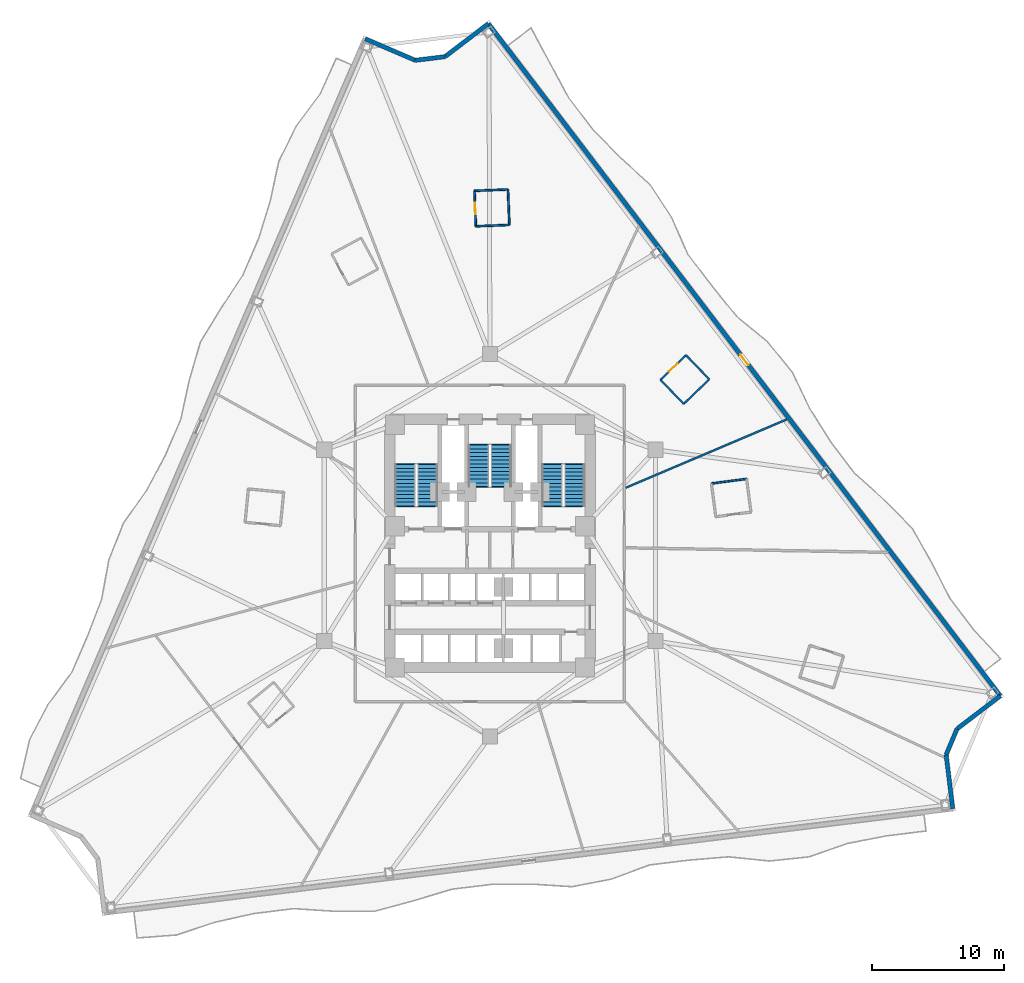
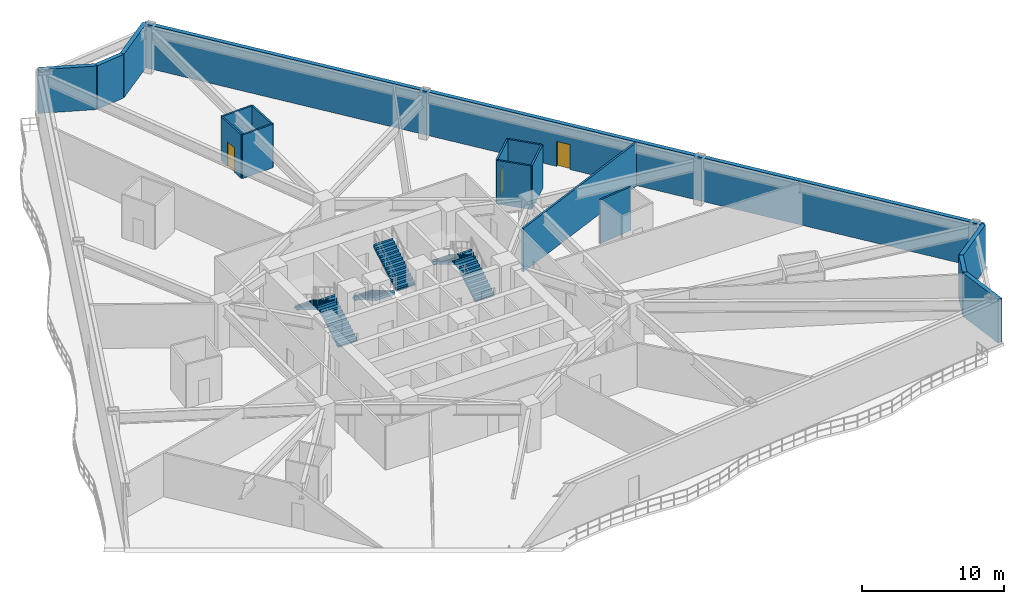
# One storey, part 7 of 13: 17 walls, 6 stair flights, 3 doors, 3 openings, 3 elements without a shape of their own.
"""IFC4 building model written with IfcOpenShell, lengths in metres."""

import ifcopenshell
import ifcopenshell.guid

model = None  # the IFC model being written
_history = None  # IfcOwnerHistory: only IFC2X3 demands one
_inside = {}  # id of a spatial element -> (the spatial element, [elements in it])
_under = {}  # id of a project, library or spatial element -> (it, [spatial elements below it])
_declared = {}  # id of a project -> (the project, [libraries it declares])
_typed = {}  # id of a type object -> (the type object, [elements of that type])
_made_of = {}  # id of a material, layer set ... -> (it, [elements and type objects made of it])


def new_model(schema):
    """Start an empty IFC model of exactly this schema.

    Asked for "IFC4X3", IfcOpenShell would pick the latest addendum, in which some entities
    have other attributes; the version numbers below select the first issue.
    IFC2X3 requires an IfcOwnerHistory on every rooted entity: one is made here for all.
    """
    global model, _history
    if schema == "IFC4X3":
        model = ifcopenshell.file(schema_version=(4, 3, 0, 0))
    else:
        model = ifcopenshell.file(schema=schema)
    _inside.clear()
    _under.clear()
    _declared.clear()
    _typed.clear()
    _made_of.clear()
    _history = None
    if model.schema == "IFC2X3":
        org = make("IfcOrganization", Name="unknown")
        user = make(
            "IfcPersonAndOrganization",
            ThePerson=make("IfcPerson", FamilyName="unknown"),
            TheOrganization=org,
        )
        app = make(
            "IfcApplication",
            ApplicationDeveloper=org,
            Version="unknown",
            ApplicationFullName="unknown",
            ApplicationIdentifier="unknown",
        )
        _history = make(
            "IfcOwnerHistory",
            OwningUser=user,
            OwningApplication=app,
            ChangeAction="ADDED",
            CreationDate=0,
        )
    return model


def make(cls, **values):
    """One entity of the class cls with the attributes given. An attribute that is None is left unset."""
    return model.create_entity(
        cls, **{name: value for name, value in values.items() if value is not None}
    )


def rooted(cls, **values):
    """An entity with a GlobalId (a new one), such as an element, a storey or a relation."""
    return make(cls, GlobalId=ifcopenshell.guid.new(), OwnerHistory=_history, **values)


def si_unit(unit_type, name, prefix=None):
    """IfcSIUnit, for example si_unit("LENGTHUNIT", "METRE", prefix="MILLI")."""
    return make("IfcSIUnit", UnitType=unit_type, Prefix=prefix, Name=name)


def assignment(units):
    """IfcUnitAssignment: the units of a project."""
    return None if units is None else make("IfcUnitAssignment", Units=units)


def point(xyz):
    """IfcCartesianPoint."""
    return None if xyz is None else make("IfcCartesianPoint", Coordinates=xyz)


def direction(xyz):
    """IfcDirection."""
    return None if xyz is None else make("IfcDirection", DirectionRatios=xyz)


def frame(location, z_axis=None, x_axis=None):
    """IfcAxis2Placement3D, a coordinate frame: its origin and axes. An axis left out is left unset."""
    return make(
        "IfcAxis2Placement3D",
        Location=point(location),
        Axis=direction(z_axis),
        RefDirection=direction(x_axis),
    )


def frame_2d(location, x_axis=None):
    """IfcAxis2Placement2D, a coordinate frame in the plane: its origin and x axis."""
    return make(
        "IfcAxis2Placement2D", Location=point(location), RefDirection=direction(x_axis)
    )


def origin():
    """The frame at (0, 0, 0) with its axes left unset."""
    return frame((0.0, 0.0, 0.0))


def place(relative_to, where):
    """IfcLocalPlacement: puts the frame where relative to a parent placement (None: the world)."""
    return make(
        "IfcLocalPlacement", PlacementRelTo=relative_to, RelativePlacement=where
    )


def context(
    kind, dimensions, precision=None, world=None, true_north=None, identifier=None
):
    """IfcGeometricRepresentationContext, for example the 3D "Model" context."""
    return make(
        "IfcGeometricRepresentationContext",
        ContextIdentifier=identifier,
        ContextType=kind,
        CoordinateSpaceDimension=dimensions,
        Precision=precision,
        WorldCoordinateSystem=world,
        TrueNorth=true_north,
    )


def subcontext(parent, identifier, kind, view, scale=None):
    """IfcGeometricRepresentationSubContext, for example "Body" below "Model"."""
    return make(
        "IfcGeometricRepresentationSubContext",
        ContextIdentifier=identifier,
        ContextType=kind,
        ParentContext=parent,
        TargetScale=scale,
        TargetView=view,
    )


def project(units=None, contexts=None):
    """IfcProject with its units and contexts."""
    return rooted(
        "IfcProject",
        Name="project",
        RepresentationContexts=contexts,
        UnitsInContext=assignment(units),
    )


def spatial(cls, under=None, at=None, **own):
    """A site, building, storey or space (cls), placed at a placement, below another one or the project."""
    s = rooted(cls, ObjectPlacement=at, **own)
    if under is not None:
        _under.setdefault(under.id(), (under, []))[1].append(s)
    return s


def polyline(points):
    """IfcPolyline through the points."""
    return make("IfcPolyline", Points=[point(p) for p in points])


def profile(cls, at=None, kind="AREA", **sizes):
    """A parametric profile (cls). Its sizes go by their IFC names, for example OverallWidth=200.0."""
    return make(cls, ProfileType=kind, Position=at, **sizes)


def rectangle(**sizes):
    """IfcRectangleProfileDef."""
    return profile("IfcRectangleProfileDef", **sizes)


def outline(outer, holes=None, kind="AREA"):
    """IfcArbitraryClosedProfileDef: a profile drawn as a closed curve; with holes, ...WithVoids."""
    if holes is None:
        return make("IfcArbitraryClosedProfileDef", ProfileType=kind, OuterCurve=outer)
    return make(
        "IfcArbitraryProfileDefWithVoids",
        ProfileType=kind,
        OuterCurve=outer,
        InnerCurves=holes,
    )


def extrude(swept, where, along, depth):
    """IfcExtrudedAreaSolid: the profile swept, set in the frame where, extruded along a direction by depth."""
    return make(
        "IfcExtrudedAreaSolid",
        SweptArea=swept,
        Position=where,
        ExtrudedDirection=direction(along),
        Depth=depth,
    )


def shape(context_of_items, identifier, shape_type, items):
    """IfcShapeRepresentation: the items that make up one representation, for example the "Body"."""
    return make(
        "IfcShapeRepresentation",
        ContextOfItems=context_of_items,
        RepresentationIdentifier=identifier,
        RepresentationType=shape_type,
        Items=items,
    )


def material(Name=None, Category=None):
    """IfcMaterial."""
    return make("IfcMaterial", Name=Name, Category=Category)


def layer(
    of_material, thickness, ventilated=None, Name=None, Category=None, Priority=None
):
    """IfcMaterialLayer: one layer of a wall or slab, of a material (None: an air gap)."""
    return make(
        "IfcMaterialLayer",
        Material=of_material,
        LayerThickness=thickness,
        IsVentilated=ventilated,
        Name=Name,
        Category=Category,
        Priority=Priority,
    )


def layer_set(layers, Name=None):
    """IfcMaterialLayerSet."""
    return make("IfcMaterialLayerSet", MaterialLayers=layers, LayerSetName=Name)


def made_of(thing, what):
    """Note that an element or type object is made of a material, layer set ...; save() writes the relation."""
    if what is not None:
        _made_of.setdefault(what.id(), (what, []))[1].append(thing)
    return thing


def type_object(cls, material=None, **own):
    """A type object (cls), such as IfcWallType, which elements share."""
    return made_of(rooted(cls, **own), material)


def element(
    cls,
    number,
    at=None,
    inside=None,
    cuts=None,
    type_object=None,
    material=None,
    context=None,
    identifier="Body",
    shape_type=None,
    held_by="IfcProductDefinitionShape",
    body=None,
    shapes=None,
    **own,
):
    """One element of the class cls, such as IfcWall. Its Tag is "e" and its number.

    at: its placement. inside: the storey or other place that contains it. cuts: it is an
    opening in that element (IfcRelVoidsElement). A single representation is given by context,
    identifier, shape_type and body (its items); several are given by shapes. held_by: the class
    of the entity that holds the representations. save() writes the other relations.
    """
    e = rooted(cls, Tag="e%d" % number, ObjectPlacement=at, **own)
    if body is not None:
        shapes = [shape(context, identifier, shape_type, body)]
    if shapes is not None:
        e.Representation = make(held_by, Representations=shapes)
    if inside is not None:
        _inside.setdefault(inside.id(), (inside, []))[1].append(e)
    if cuts is not None:
        rooted(
            "IfcRelVoidsElement", RelatingBuildingElement=cuts, RelatedOpeningElement=e
        )
    if type_object is not None:
        _typed.setdefault(type_object.id(), (type_object, []))[1].append(e)
    return made_of(e, material)


def fill(opening, filler):
    """IfcRelFillsElement: the door or window that sits in an opening."""
    return rooted(
        "IfcRelFillsElement",
        RelatingOpeningElement=opening,
        RelatedBuildingElement=filler,
    )


def aggregate(whole, parts):
    """IfcRelAggregates: a whole, such as a stair, and the parts it consists of."""
    return rooted("IfcRelAggregates", RelatingObject=whole, RelatedObjects=parts)


def save(model, path):
    """Write the relations noted so far, then the file.

    IfcRelAggregates (storeys below a building ...), IfcRelContainedInSpatialStructure (elements
    in a storey), IfcRelDefinesByType, IfcRelAssociatesMaterial and IfcRelDeclares: one each for
    every whole, place, type object, material and project.
    """
    for whole, parts in _under.values():
        aggregate(whole, parts)
    for where, things in _inside.values():
        rooted(
            "IfcRelContainedInSpatialStructure",
            RelatedElements=things,
            RelatingStructure=where,
        )
    for kind, things in _typed.values():
        rooted("IfcRelDefinesByType", RelatedObjects=things, RelatingType=kind)
    for what, things in _made_of.values():
        rooted("IfcRelAssociatesMaterial", RelatedObjects=things, RelatingMaterial=what)
    for by, libraries in _declared.values():
        rooted("IfcRelDeclares", RelatingContext=by, RelatedDefinitions=libraries)
    model.write(path)


model = new_model("IFC4")

# Units and contexts
model_context = context("Model", 3, precision=1e-05, world=origin(), true_north=direction((0.0, 1.0)))
body_context = subcontext(model_context, "Body", "Model", "MODEL_VIEW")
ifc_project = project(units=[si_unit("LENGTHUNIT", "METRE"), si_unit("AREAUNIT", "SQUARE_METRE"), si_unit("VOLUMEUNIT", "CUBIC_METRE"), si_unit("PLANEANGLEUNIT", "RADIAN"), si_unit("MASSUNIT", "GRAM", prefix="KILO")], contexts=[model_context])

# Site, building, storey
site_placement = place(None, origin())
site = spatial("IfcSite", under=ifc_project, at=site_placement, CompositionType="ELEMENT")
building_placement = place(site_placement, origin())
building = spatial("IfcBuilding", under=site, at=building_placement, Name="Apsidion Concourse Tower", CompositionType="ELEMENT")
storey_placement = place(building_placement, frame((0.0, 0.0, 67.0)))
storey = spatial("IfcBuildingStorey", under=building, at=storey_placement, Name="L14", CompositionType="ELEMENT", Elevation=67.0)

# Wall, opening, door
ifc_material_1 = material(Name="Precast concrete C40/50", Category="concrete")
ifc_layer_1 = layer(ifc_material_1, 0.320068359375)
ifc_layer_set_1 = layer_set([ifc_layer_1], Name="Precast concrete C40/50")
wall_type_1 = type_object("IfcWallType", Name="WL-EXT-320", PredefinedType="STANDARD", material=ifc_layer_set_1)
wall_1_placement = place(storey_placement, frame((-0.115234375, 39.555419921875, 0.0), z_axis=(0.0, 0.0, 1.0), x_axis=(0.605877389385, -0.795558036243, 0.0)))
wall_1 = element("IfcWall", 1, at=wall_1_placement, inside=storey, type_object=wall_type_1, Name="L14 Precast Stone Facade Wall 01", PredefinedType="STANDARD", context=body_context, shape_type="SweptSolid", body=[
    extrude(rectangle(XDim=64.058349609375, YDim=0.320068359375, at=frame_2d((32.029296875, 0.0))), origin(), (0.0, 0.0, 1.0), 3.75),
])
opening_1_placement = place(wall_1_placement, frame((31.529296875, 0.0, 0.0)))
opening_1 = element("IfcOpeningElement", 2, at=opening_1_placement, cuts=wall_1, Name="Opening D-T1L", PredefinedType="OPENING", context=body_context, shape_type="SweptSolid", body=[
    extrude(rectangle(XDim=1.0, YDim=2.14990234375, at=frame_2d((0.5, 1.074951171875))), frame((0.0, 0.169921875, 0.0), z_axis=(0.0, -1.0, 0.0), x_axis=(1.0, 0.0, 0.0)), (0.0, 0.0, 1.0), 0.340087890625),
])
ifc_material_2 = material(Name="Anodised aluminium EN AW-6063 T6", Category="aluminium")
door_type_1 = type_object("IfcDoorType", Name="DR-TER-1022L", OperationType="SINGLE_SWING_LEFT", PredefinedType="DOOR", material=ifc_material_2)
door_1_placement = place(opening_1_placement, origin())
door_1 = element("IfcDoor", 3, at=door_1_placement, inside=storey, type_object=door_type_1, Name="L14 Balcony Access Door 3", OperationType="SINGLE_SWING_LEFT", OverallHeight=2.14990234375, OverallWidth=1.0, PredefinedType="DOOR", context=body_context, shape_type="SweptSolid", body=[
    extrude(rectangle(XDim=1.0, YDim=2.14990234375, at=frame_2d((0.5, 1.074951171875))), frame((0.0, 0.02490234375, 0.0), z_axis=(0.0, -1.0, 0.0), x_axis=(1.0, 0.0, 0.0)), (0.0, 0.0, 1.0), 0.050048828125),
])
fill(opening_1, door_1)

# Walls
wall_2_placement = place(storey_placement, frame((38.6962890625, -11.40673828125, 0.0), z_axis=(0.0, 0.0, 1.0), x_axis=(-0.795549815011, -0.605888184269, 0.0)))
element("IfcWall", 4, at=wall_2_placement, inside=storey, type_object=wall_type_1, Name="L14 Precast Stone Facade Wall 02", PredefinedType="STANDARD", context=body_context, shape_type="SweptSolid", body=[
    extrude(rectangle(XDim=4.128173828125, YDim=0.320068359375, at=frame_2d((2.06396484375, 0.0))), origin(), (0.0, 0.0, 1.0), 3.75),
])
wall_3_placement = place(storey_placement, frame((35.412109375, -13.907958984375, 0.0), z_axis=(0.0, 0.0, 1.0), x_axis=(-0.388344964834, -0.921514073841, 0.0)))
element("IfcWall", 5, at=wall_3_placement, inside=storey, type_object=wall_type_1, Name="L14 Precast Stone Facade Wall 03", PredefinedType="STANDARD", context=body_context, shape_type="SweptSolid", body=[
    extrude(rectangle(XDim=2.122314453125, YDim=0.320068359375, at=frame_2d((1.06103515625, 0.0))), origin(), (0.0, 0.0, 1.0), 3.75),
])
wall_4_placement = place(storey_placement, frame((34.587890625, -15.86376953125, 0.0), z_axis=(0.0, 0.0, 1.0), x_axis=(0.12182895116, -0.992551110351, 0.0)))
element("IfcWall", 6, at=wall_4_placement, inside=storey, type_object=wall_type_1, Name="L14 Precast Stone Facade Wall 04", PredefinedType="STANDARD", context=body_context, shape_type="SweptSolid", body=[
    extrude(rectangle(XDim=4.128173828125, YDim=0.320068359375, at=frame_2d((2.06396484375, 0.0))), origin(), (0.0, 0.0, 1.0), 3.75),
])
wall_5_placement = place(storey_placement, frame((-9.45751953125, 38.408203125, 0.0), z_axis=(0.0, 0.0, 1.0), x_axis=(0.918510754284, -0.395395996774, 0.0)))
element("IfcWall", 7, at=wall_5_placement, inside=storey, type_object=wall_type_1, Name="L14 Precast Stone Facade Wall 10", PredefinedType="STANDARD", context=body_context, shape_type="SweptSolid", body=[
    extrude(rectangle(XDim=4.12890625, YDim=0.320068359375, at=frame_2d((2.064453125, 0.0))), origin(), (0.0, 0.0, 1.0), 3.75),
])
wall_6_placement = place(storey_placement, frame((-5.6650390625, 36.775634765625, 0.0), z_axis=(0.0, 0.0, 1.0), x_axis=(0.992547088217, 0.121861715369, 0.0)))
element("IfcWall", 8, at=wall_6_placement, inside=storey, type_object=wall_type_1, Name="L14 Precast Stone Facade Wall 11", PredefinedType="STANDARD", context=body_context, shape_type="SweptSolid", body=[
    extrude(rectangle(XDim=2.281982421875, YDim=0.320068359375, at=frame_2d((1.14111328125, 0.0))), origin(), (0.0, 0.0, 1.0), 3.75),
])
wall_7_placement = place(storey_placement, frame((-3.400146484375, 37.0537109375, 0.0), z_axis=(0.0, 0.0, 1.0), x_axis=(0.795557931523, 0.605877526891, 0.0)))
element("IfcWall", 9, at=wall_7_placement, inside=storey, type_object=wall_type_1, Name="L14 Precast Stone Facade Wall 12", PredefinedType="STANDARD", context=body_context, shape_type="SweptSolid", body=[
    extrude(rectangle(XDim=4.129150390625, YDim=0.320068359375, at=frame_2d((2.064453125, 0.0))), origin(), (0.0, 0.0, 1.0), 3.75),
])
ifc_material_3 = material(Name="Gypsum plasterboard partition")
ifc_layer_2 = layer(ifc_material_3, 0.139892578125)
ifc_layer_set_2 = layer_set([ifc_layer_2], Name="Gypsum plasterboard partition")
wall_type_2 = type_object("IfcWallType", Name="WL-INT-PAR-140", PredefinedType="PARTITIONING", material=ifc_layer_set_2)
for number, where, z_axis, x_axis, name in (
    (10, (19.460693359375, 5.044677734375, 0.0), (0.0, 0.0, 1.0), (-0.991446880033, -0.130510858064, 0.0), "L14 Interior Partition WL-L14-POD-ENS05-S3"),
    (11, (14.69287109375, 10.726806640625, 0.0), (0.0, 0.0, 1.0), (0.720545235035, 0.693407934962, 0.0), "L14 Interior Partition WL-L14-POD-ENS06-S1"),
):
    element("IfcWall", number, at=place(storey_placement, frame(where, z_axis=z_axis, x_axis=x_axis)), inside=storey, type_object=wall_type_2, Name=name, PredefinedType="PARTITIONING", context=body_context, shape_type="SweptSolid", body=[
        extrude(rectangle(XDim=2.68994140625, YDim=0.139892578125, at=frame_2d((1.344970703125, 0.0))), origin(), (0.0, 0.0, 1.0), 3.75),
    ])
wall_8_placement = place(storey_placement, frame((16.631103515625, 12.592041015625, 0.0), z_axis=(0.0, 0.0, 1.0), x_axis=(-0.693423687689, 0.720530075259, 0.0)))
element("IfcWall", 12, at=wall_8_placement, inside=storey, type_object=wall_type_2, Name="L14 Interior Partition WL-L14-POD-ENS06-S2", PredefinedType="PARTITIONING", context=body_context, shape_type="SweptSolid", body=[
    extrude(rectangle(XDim=2.539794921875, YDim=0.139892578125, at=frame_2d((1.27001953125, 0.0))), origin(), (0.0, 0.0, 1.0), 3.75),
])

# Wall, opening, door
wall_9_placement = place(storey_placement, frame((14.869873046875, 14.422119140625, 0.0), z_axis=(0.0, 0.0, 1.0), x_axis=(-0.720545235035, -0.693407934962, 0.0)))
wall_9 = element("IfcWall", 13, at=wall_9_placement, inside=storey, type_object=wall_type_2, Name="L14 Interior Partition WL-L14-POD-ENS06-S3", PredefinedType="PARTITIONING", context=body_context, shape_type="SweptSolid", body=[
    extrude(rectangle(XDim=2.68994140625, YDim=0.139892578125, at=frame_2d((1.344970703125, 0.0))), origin(), (0.0, 0.0, 1.0), 3.75),
])
opening_2_placement = place(wall_9_placement, frame((0.905029296875, 0.0, 0.0)))
opening_2 = element("IfcOpeningElement", 14, at=opening_2_placement, cuts=wall_9, Name="Opening D-03L", PredefinedType="OPENING", context=body_context, shape_type="SweptSolid", body=[
    extrude(rectangle(XDim=0.8798828125, YDim=2.10009765625, at=frame_2d((0.43994140625, 1.050048828125))), frame((0.0, 0.080078125, 0.0), z_axis=(0.0, -1.0, 0.0), x_axis=(1.0, 0.0, 0.0)), (0.0, 0.0, 1.0), 0.159912109375),
])
door_type_2 = type_object("IfcDoorType", Name="DR-INT-D03L", OperationType="SINGLE_SWING_LEFT", PredefinedType="DOOR", material=ifc_material_2)
door_2_placement = place(opening_2_placement, origin())
door_2 = element("IfcDoor", 15, at=door_2_placement, inside=storey, type_object=door_type_2, Name="L14 Guest En-Suite Bathroom Door ENS06", OperationType="SINGLE_SWING_LEFT", OverallHeight=2.10009765625, OverallWidth=0.8798828125, PredefinedType="DOOR", context=body_context, shape_type="SweptSolid", body=[
    extrude(rectangle(XDim=0.8798828125, YDim=2.10009765625, at=frame_2d((0.43994140625, 1.050048828125))), frame((0.0, 0.02490234375, 0.0), z_axis=(0.0, -1.0, 0.0), x_axis=(1.0, 0.0, 0.0)), (0.0, 0.0, 1.0), 0.050048828125),
])
fill(opening_2, door_2)

# Walls
wall_10_placement = place(storey_placement, frame((12.931640625, 12.556884765625, 0.0), z_axis=(0.0, 0.0, 1.0), x_axis=(0.693423687689, -0.720530075259, 0.0)))
element("IfcWall", 16, at=wall_10_placement, inside=storey, type_object=wall_type_2, Name="L14 Interior Partition WL-L14-POD-ENS06-S4", PredefinedType="PARTITIONING", context=body_context, shape_type="SweptSolid", body=[
    extrude(rectangle(XDim=2.539794921875, YDim=0.139892578125, at=frame_2d((1.27001953125, 0.0))), origin(), (0.0, 0.0, 1.0), 3.75),
])
wall_11_placement = place(storey_placement, frame((1.474609375, 24.298583984375, 0.0), z_axis=(0.0, 0.0, 1.0), x_axis=(-0.040116649234, 0.999195003217, 0.0)))
element("IfcWall", 17, at=wall_11_placement, inside=storey, type_object=wall_type_2, Name="L14 Interior Partition WL-L14-POD-ENS07-S1", PredefinedType="PARTITIONING", context=body_context, shape_type="SweptSolid", body=[
    extrude(rectangle(XDim=2.68994140625, YDim=0.139892578125, at=frame_2d((1.344970703125, 0.0))), origin(), (0.0, 0.0, 1.0), 3.75),
])
wall_12_placement = place(storey_placement, frame((1.36669921875, 26.986328125, 0.0), z_axis=(0.0, 0.0, 1.0), x_axis=(-0.999196499977, -0.040079351721, 0.0)))
element("IfcWall", 18, at=wall_12_placement, inside=storey, type_object=wall_type_2, Name="L14 Interior Partition WL-L14-POD-ENS07-S2", PredefinedType="PARTITIONING", context=body_context, shape_type="SweptSolid", body=[
    extrude(rectangle(XDim=2.5400390625, YDim=0.139892578125, at=frame_2d((1.27001953125, 0.0))), origin(), (0.0, 0.0, 1.0), 3.75),
])

# Wall, opening, door
wall_13_placement = place(storey_placement, frame((-1.17138671875, 26.884521484375, 0.0), z_axis=(0.0, 0.0, 1.0), x_axis=(0.040113011442, -0.999195149264, 0.0)))
wall_13 = element("IfcWall", 19, at=wall_13_placement, inside=storey, type_object=wall_type_2, Name="L14 Interior Partition WL-L14-POD-ENS07-S3", PredefinedType="PARTITIONING", context=body_context, shape_type="SweptSolid", body=[
    extrude(rectangle(XDim=2.690185546875, YDim=0.139892578125, at=frame_2d((1.34521484375, 0.0))), origin(), (0.0, 0.0, 1.0), 3.75),
])
opening_3_placement = place(wall_13_placement, frame((0.905029296875, 0.0, 0.0)))
opening_3 = element("IfcOpeningElement", 20, at=opening_3_placement, cuts=wall_13, Name="Opening D-03R", PredefinedType="OPENING", context=body_context, shape_type="SweptSolid", body=[
    extrude(rectangle(XDim=0.8798828125, YDim=2.10009765625, at=frame_2d((0.43994140625, 1.050048828125))), frame((0.0, 0.080078125, 0.0), z_axis=(0.0, -1.0, 0.0), x_axis=(1.0, 0.0, 0.0)), (0.0, 0.0, 1.0), 0.159912109375),
])
door_type_3 = type_object("IfcDoorType", Name="DR-INT-D03R", OperationType="SINGLE_SWING_RIGHT", PredefinedType="DOOR", material=ifc_material_2)
door_3_placement = place(opening_3_placement, origin())
door_3 = element("IfcDoor", 21, at=door_3_placement, inside=storey, type_object=door_type_3, Name="L14 Guest En-Suite Bathroom Door ENS07", OperationType="SINGLE_SWING_RIGHT", OverallHeight=2.10009765625, OverallWidth=0.8798828125, PredefinedType="DOOR", context=body_context, shape_type="SweptSolid", body=[
    extrude(rectangle(XDim=0.8798828125, YDim=2.10009765625, at=frame_2d((0.43994140625, 1.050048828125))), frame((0.0, 0.02490234375, 0.0), z_axis=(0.0, -1.0, 0.0), x_axis=(1.0, 0.0, 0.0)), (0.0, 0.0, 1.0), 0.050048828125),
])
fill(opening_3, door_3)

# Walls
wall_14_placement = place(storey_placement, frame((-1.0634765625, 24.196533203125, 0.0), z_axis=(0.0, 0.0, 1.0), x_axis=(0.99919264631, 0.040175310327, 0.0)))
element("IfcWall", 22, at=wall_14_placement, inside=storey, type_object=wall_type_2, Name="L14 Interior Partition WL-L14-POD-ENS07-S4", PredefinedType="PARTITIONING", context=body_context, shape_type="SweptSolid", body=[
    extrude(rectangle(XDim=2.5400390625, YDim=0.139892578125, at=frame_2d((1.27001953125, 0.0))), origin(), (0.0, 0.0, 1.0), 3.75),
])
ifc_layer_3 = layer(ifc_material_3, 0.14990234375)
ifc_layer_set_3 = layer_set([ifc_layer_3], Name="Gypsum plasterboard partition")
wall_type_3 = type_object("IfcWallType", Name="WL-INT-PAR-150", PredefinedType="PARTITIONING", material=ifc_layer_set_3)
wall_15_placement = place(storey_placement, frame((10.304931640625, 4.374267578125, 0.0), z_axis=(0.0, 0.0, 1.0), x_axis=(0.920506948121, 0.390726193723, 0.0)))
element("IfcWall", 23, at=wall_15_placement, inside=storey, type_object=wall_type_3, Name="L14 Interior Partition WL-L14-RAD-01-1", PredefinedType="PARTITIONING", context=body_context, shape_type="SweptSolid", body=[
    extrude(rectangle(XDim=13.260986328125, YDim=0.14990234375, at=frame_2d((6.63037109375, 0.0))), origin(), (0.0, 0.0, 1.0), 3.75),
])

# Stair, stair flights
stair_type = type_object("IfcStairType", Name="ST-DL-1550", PredefinedType="HALF_TURN_STAIR", material=ifc_material_1)
stair_1_placement = place(storey_placement, origin())
stair_1 = element("IfcStair", 24, at=stair_1_placement, inside=storey, type_object=stair_type, Name="L14 Protected Core Exit Stair ST1", PredefinedType="HALF_TURN_STAIR")
stair_flight_type = type_object("IfcStairFlightType", Name="SFL-RC-1550", PredefinedType="STRAIGHT", material=ifc_material_1)
stair_flight_1_placement = place(storey_placement, frame((-4.72509765625, 3.0, 0.0), z_axis=(0.0, 0.0, 1.0), x_axis=(0.0, 1.0, 0.0)))
stair_flight_1 = element("IfcStairFlight", 25, at=stair_flight_1_placement, type_object=stair_flight_type, Name="ST1 flight 1", NumberOfRisers=12, NumberOfTreads=11, PredefinedType="STRAIGHT", RiserHeight=0.166666667, TreadLength=0.285, context=body_context, shape_type="SweptSolid", body=[
    extrude(outline(polyline([(-0.080078125, -0.1123046875), (-0.080078125, 0.0), (0.0, 0.0), (0.0, 0.166748046875), (0.284912109375, 0.166748046875), (0.284912109375, 0.333251953125), (0.570068359375, 0.333251953125), (0.570068359375, 0.5), (0.85498046875, 0.5), (0.85498046875, 0.666748046875), (1.139892578125, 0.666748046875), (1.139892578125, 0.833251953125), (1.425048828125, 0.833251953125), (1.425048828125, 1.0), (1.7099609375, 1.0), (1.7099609375, 1.166748046875), (1.9951171875, 1.166748046875), (1.9951171875, 1.333251953125), (2.280029296875, 1.333251953125), (2.280029296875, 1.5), (2.56494140625, 1.5), (2.56494140625, 1.666748046875), (2.85009765625, 1.666748046875), (2.85009765625, 1.833251953125), (3.135009765625, 1.833251953125), (3.135009765625, 2.0), (3.215087890625, 1.916748046875), (3.215087890625, 1.65966796875), (3.135009765625, 1.65966796875), (0.296875, 0.0), (0.296875, -0.1123046875), (-0.080078125, -0.1123046875)])), frame((0.0, 0.77490234375, 0.0), z_axis=(0.0, -1.0, 0.0), x_axis=(1.0, 0.0, 0.0)), (0.0, 0.0, 1.0), 1.550048828125),
])
stair_flight_2_placement = place(storey_placement, frame((-6.425048828125, 6.135009765625, 2.0), z_axis=(0.0, 0.0, 1.0), x_axis=(0.0, -1.0, 0.0)))
stair_flight_2 = element("IfcStairFlight", 26, at=stair_flight_2_placement, type_object=stair_flight_type, Name="ST1 flight 2", NumberOfRisers=12, NumberOfTreads=11, PredefinedType="STRAIGHT", RiserHeight=0.166666667, TreadLength=0.285, context=body_context, shape_type="SweptSolid", body=[
    extrude(outline(polyline([(-0.080078125, -0.1123046875), (-0.080078125, 0.0), (0.0, 0.0), (0.0, 0.166748046875), (0.284912109375, 0.166748046875), (0.284912109375, 0.333251953125), (0.570068359375, 0.333251953125), (0.570068359375, 0.5), (0.85498046875, 0.5), (0.85498046875, 0.666748046875), (1.139892578125, 0.666748046875), (1.139892578125, 0.833251953125), (1.425048828125, 0.833251953125), (1.425048828125, 1.0), (1.7099609375, 1.0), (1.7099609375, 1.166748046875), (1.9951171875, 1.166748046875), (1.9951171875, 1.333251953125), (2.280029296875, 1.333251953125), (2.280029296875, 1.5), (2.56494140625, 1.5), (2.56494140625, 1.666748046875), (2.85009765625, 1.666748046875), (2.85009765625, 1.833251953125), (3.135009765625, 1.833251953125), (3.135009765625, 2.0), (3.215087890625, 1.916748046875), (3.215087890625, 1.65966796875), (3.135009765625, 1.65966796875), (0.296875, 0.0), (0.296875, -0.1123046875), (-0.080078125, -0.1123046875)])), frame((0.0, 0.77490234375, 0.0), z_axis=(0.0, -1.0, 0.0), x_axis=(1.0, 0.0, 0.0)), (0.0, 0.0, 1.0), 1.550048828125),
])
aggregate(stair_1, [stair_flight_1, stair_flight_2])

stair_2_placement = place(storey_placement, origin())
stair_2 = element("IfcStair", 27, at=stair_2_placement, inside=storey, type_object=stair_type, Name="L14 Protected Core Exit Stair ST2", PredefinedType="HALF_TURN_STAIR")
stair_flight_3_placement = place(storey_placement, frame((6.425048828125, 3.0, 0.0), z_axis=(0.0, 0.0, 1.0), x_axis=(0.0, 1.0, 0.0)))
stair_flight_3 = element("IfcStairFlight", 28, at=stair_flight_3_placement, type_object=stair_flight_type, Name="ST2 flight 1", NumberOfRisers=12, NumberOfTreads=11, PredefinedType="STRAIGHT", RiserHeight=0.166666667, TreadLength=0.285, context=body_context, shape_type="SweptSolid", body=[
    extrude(outline(polyline([(-0.080078125, -0.1123046875), (-0.080078125, 0.0), (0.0, 0.0), (0.0, 0.166748046875), (0.284912109375, 0.166748046875), (0.284912109375, 0.333251953125), (0.570068359375, 0.333251953125), (0.570068359375, 0.5), (0.85498046875, 0.5), (0.85498046875, 0.666748046875), (1.139892578125, 0.666748046875), (1.139892578125, 0.833251953125), (1.425048828125, 0.833251953125), (1.425048828125, 1.0), (1.7099609375, 1.0), (1.7099609375, 1.166748046875), (1.9951171875, 1.166748046875), (1.9951171875, 1.333251953125), (2.280029296875, 1.333251953125), (2.280029296875, 1.5), (2.56494140625, 1.5), (2.56494140625, 1.666748046875), (2.85009765625, 1.666748046875), (2.85009765625, 1.833251953125), (3.135009765625, 1.833251953125), (3.135009765625, 2.0), (3.215087890625, 1.916748046875), (3.215087890625, 1.65966796875), (3.135009765625, 1.65966796875), (0.296875, 0.0), (0.296875, -0.1123046875), (-0.080078125, -0.1123046875)])), frame((0.0, 0.77490234375, 0.0), z_axis=(0.0, -1.0, 0.0), x_axis=(1.0, 0.0, 0.0)), (0.0, 0.0, 1.0), 1.550048828125),
])
stair_flight_4_placement = place(storey_placement, frame((4.72509765625, 6.135009765625, 2.0), z_axis=(0.0, 0.0, 1.0), x_axis=(0.0, -1.0, 0.0)))
stair_flight_4 = element("IfcStairFlight", 29, at=stair_flight_4_placement, type_object=stair_flight_type, Name="ST2 flight 2", NumberOfRisers=12, NumberOfTreads=11, PredefinedType="STRAIGHT", RiserHeight=0.166666667, TreadLength=0.285, context=body_context, shape_type="SweptSolid", body=[
    extrude(outline(polyline([(-0.080078125, -0.1123046875), (-0.080078125, 0.0), (0.0, 0.0), (0.0, 0.166748046875), (0.284912109375, 0.166748046875), (0.284912109375, 0.333251953125), (0.570068359375, 0.333251953125), (0.570068359375, 0.5), (0.85498046875, 0.5), (0.85498046875, 0.666748046875), (1.139892578125, 0.666748046875), (1.139892578125, 0.833251953125), (1.425048828125, 0.833251953125), (1.425048828125, 1.0), (1.7099609375, 1.0), (1.7099609375, 1.166748046875), (1.9951171875, 1.166748046875), (1.9951171875, 1.333251953125), (2.280029296875, 1.333251953125), (2.280029296875, 1.5), (2.56494140625, 1.5), (2.56494140625, 1.666748046875), (2.85009765625, 1.666748046875), (2.85009765625, 1.833251953125), (3.135009765625, 1.833251953125), (3.135009765625, 2.0), (3.215087890625, 1.916748046875), (3.215087890625, 1.65966796875), (3.135009765625, 1.65966796875), (0.296875, 0.0), (0.296875, -0.1123046875), (-0.080078125, -0.1123046875)])), frame((0.0, 0.77490234375, 0.0), z_axis=(0.0, -1.0, 0.0), x_axis=(1.0, 0.0, 0.0)), (0.0, 0.0, 1.0), 1.550048828125),
])
aggregate(stair_2, [stair_flight_3, stair_flight_4])

stair_3_placement = place(storey_placement, origin())
stair_3 = element("IfcStair", 30, at=stair_3_placement, inside=storey, type_object=stair_type, Name="L14 Protected Core Exit Stair ST3", PredefinedType="HALF_TURN_STAIR")
stair_flight_5_placement = place(storey_placement, frame((-0.85009765625, 7.60009765625, 0.0), z_axis=(0.0, 0.0, 1.0), x_axis=(0.0, -1.0, 0.0)))
stair_flight_5 = element("IfcStairFlight", 31, at=stair_flight_5_placement, type_object=stair_flight_type, Name="ST3 flight 1", NumberOfRisers=12, NumberOfTreads=11, PredefinedType="STRAIGHT", RiserHeight=0.166666667, TreadLength=0.285, context=body_context, shape_type="SweptSolid", body=[
    extrude(outline(polyline([(-0.080078125, -0.1123046875), (-0.080078125, 0.0), (0.0, 0.0), (0.0, 0.166748046875), (0.284912109375, 0.166748046875), (0.284912109375, 0.333251953125), (0.570068359375, 0.333251953125), (0.570068359375, 0.5), (0.85498046875, 0.5), (0.85498046875, 0.666748046875), (1.139892578125, 0.666748046875), (1.139892578125, 0.833251953125), (1.425048828125, 0.833251953125), (1.425048828125, 1.0), (1.7099609375, 1.0), (1.7099609375, 1.166748046875), (1.9951171875, 1.166748046875), (1.9951171875, 1.333251953125), (2.280029296875, 1.333251953125), (2.280029296875, 1.5), (2.56494140625, 1.5), (2.56494140625, 1.666748046875), (2.85009765625, 1.666748046875), (2.85009765625, 1.833251953125), (3.135009765625, 1.833251953125), (3.135009765625, 2.0), (3.215087890625, 1.916748046875), (3.215087890625, 1.65966796875), (3.135009765625, 1.65966796875), (0.296875, 0.0), (0.296875, -0.1123046875), (-0.080078125, -0.1123046875)])), frame((0.0, 0.77490234375, 0.0), z_axis=(0.0, -1.0, 0.0), x_axis=(1.0, 0.0, 0.0)), (0.0, 0.0, 1.0), 1.550048828125),
])
stair_flight_6_placement = place(storey_placement, frame((0.85009765625, 4.465087890625, 2.0), z_axis=(0.0, 0.0, 1.0), x_axis=(0.0, 1.0, 0.0)))
stair_flight_6 = element("IfcStairFlight", 32, at=stair_flight_6_placement, type_object=stair_flight_type, Name="ST3 flight 2", NumberOfRisers=12, NumberOfTreads=11, PredefinedType="STRAIGHT", RiserHeight=0.166666667, TreadLength=0.285, context=body_context, shape_type="SweptSolid", body=[
    extrude(outline(polyline([(-0.080078125, -0.1123046875), (-0.080078125, 0.0), (0.0, 0.0), (0.0, 0.166748046875), (0.284912109375, 0.166748046875), (0.284912109375, 0.333251953125), (0.570068359375, 0.333251953125), (0.570068359375, 0.5), (0.85498046875, 0.5), (0.85498046875, 0.666748046875), (1.139892578125, 0.666748046875), (1.139892578125, 0.833251953125), (1.425048828125, 0.833251953125), (1.425048828125, 1.0), (1.7099609375, 1.0), (1.7099609375, 1.166748046875), (1.9951171875, 1.166748046875), (1.9951171875, 1.333251953125), (2.280029296875, 1.333251953125), (2.280029296875, 1.5), (2.56494140625, 1.5), (2.56494140625, 1.666748046875), (2.85009765625, 1.666748046875), (2.85009765625, 1.833251953125), (3.135009765625, 1.833251953125), (3.135009765625, 2.0), (3.215087890625, 1.916748046875), (3.215087890625, 1.65966796875), (3.135009765625, 1.65966796875), (0.296875, 0.0), (0.296875, -0.1123046875), (-0.080078125, -0.1123046875)])), frame((0.0, 0.77490234375, 0.0), z_axis=(0.0, -1.0, 0.0), x_axis=(1.0, 0.0, 0.0)), (0.0, 0.0, 1.0), 1.550048828125),
])
aggregate(stair_3, [stair_flight_5, stair_flight_6])

save(model, "model.ifc")
